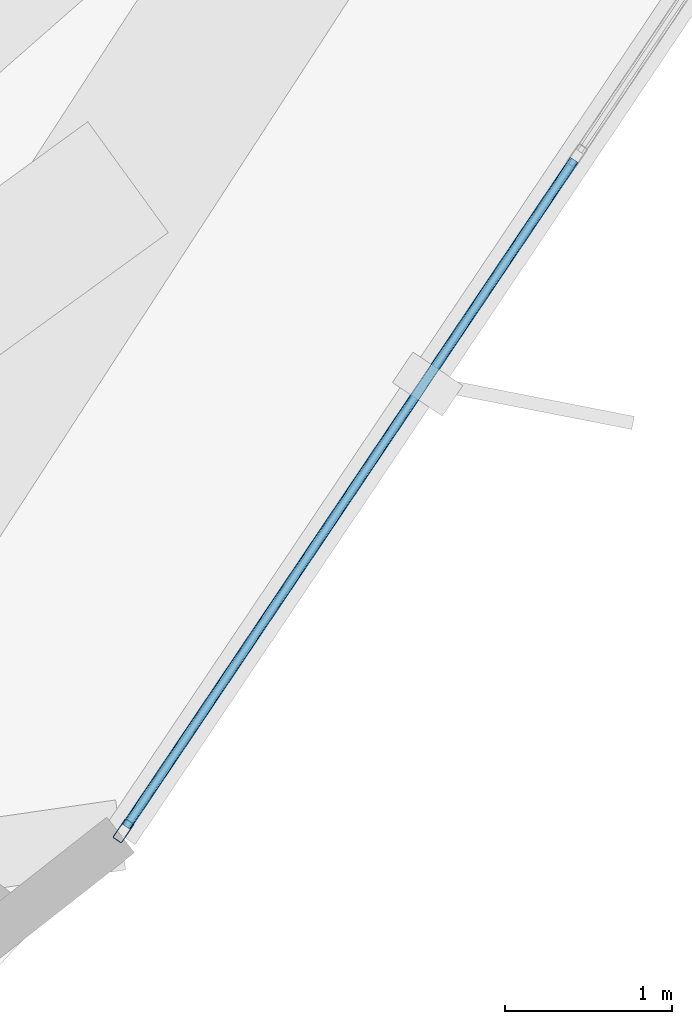
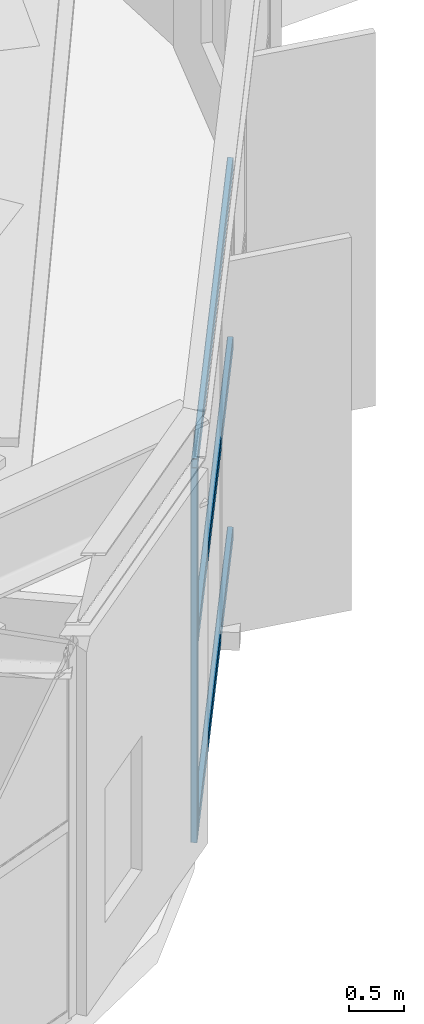
# One storey, part 13 of 30: 4 members, 1 element without a shape of its own.
"""IFC4 building model written with IfcOpenShell, lengths in metres."""

import ifcopenshell
import ifcopenshell.guid

model = None  # the IFC model being written
_history = None  # IfcOwnerHistory: only IFC2X3 demands one
_inside = {}  # id of a spatial element -> (the spatial element, [elements in it])
_under = {}  # id of a project, library or spatial element -> (it, [spatial elements below it])
_declared = {}  # id of a project -> (the project, [libraries it declares])
_typed = {}  # id of a type object -> (the type object, [elements of that type])
_made_of = {}  # id of a material, layer set ... -> (it, [elements and type objects made of it])


def new_model(schema):
    """Start an empty IFC model of exactly this schema.

    Asked for "IFC4X3", IfcOpenShell would pick the latest addendum, in which some entities
    have other attributes; the version numbers below select the first issue.
    IFC2X3 requires an IfcOwnerHistory on every rooted entity: one is made here for all.
    """
    global model, _history
    if schema == "IFC4X3":
        model = ifcopenshell.file(schema_version=(4, 3, 0, 0))
    else:
        model = ifcopenshell.file(schema=schema)
    _inside.clear()
    _under.clear()
    _declared.clear()
    _typed.clear()
    _made_of.clear()
    _history = None
    if model.schema == "IFC2X3":
        org = make("IfcOrganization", Name="unknown")
        user = make(
            "IfcPersonAndOrganization",
            ThePerson=make("IfcPerson", FamilyName="unknown"),
            TheOrganization=org,
        )
        app = make(
            "IfcApplication",
            ApplicationDeveloper=org,
            Version="unknown",
            ApplicationFullName="unknown",
            ApplicationIdentifier="unknown",
        )
        _history = make(
            "IfcOwnerHistory",
            OwningUser=user,
            OwningApplication=app,
            ChangeAction="ADDED",
            CreationDate=0,
        )
    return model


def make(cls, **values):
    """One entity of the class cls with the attributes given. An attribute that is None is left unset."""
    return model.create_entity(
        cls, **{name: value for name, value in values.items() if value is not None}
    )


def rooted(cls, **values):
    """An entity with a GlobalId (a new one), such as an element, a storey or a relation."""
    return make(cls, GlobalId=ifcopenshell.guid.new(), OwnerHistory=_history, **values)


def si_unit(unit_type, name, prefix=None):
    """IfcSIUnit, for example si_unit("LENGTHUNIT", "METRE", prefix="MILLI")."""
    return make("IfcSIUnit", UnitType=unit_type, Prefix=prefix, Name=name)


def assignment(units):
    """IfcUnitAssignment: the units of a project."""
    return None if units is None else make("IfcUnitAssignment", Units=units)


def point(xyz):
    """IfcCartesianPoint."""
    return None if xyz is None else make("IfcCartesianPoint", Coordinates=xyz)


def direction(xyz):
    """IfcDirection."""
    return None if xyz is None else make("IfcDirection", DirectionRatios=xyz)


def frame(location, z_axis=None, x_axis=None):
    """IfcAxis2Placement3D, a coordinate frame: its origin and axes. An axis left out is left unset."""
    return make(
        "IfcAxis2Placement3D",
        Location=point(location),
        Axis=direction(z_axis),
        RefDirection=direction(x_axis),
    )


def frame_2d(location, x_axis=None):
    """IfcAxis2Placement2D, a coordinate frame in the plane: its origin and x axis."""
    return make(
        "IfcAxis2Placement2D", Location=point(location), RefDirection=direction(x_axis)
    )


def origin():
    """The frame at (0, 0, 0) with its axes left unset."""
    return frame((0.0, 0.0, 0.0))


def origin_2d():
    """The frame at (0, 0) in the plane with its x axis left unset."""
    return frame_2d((0.0, 0.0))


def place(relative_to, where):
    """IfcLocalPlacement: puts the frame where relative to a parent placement (None: the world)."""
    return make(
        "IfcLocalPlacement", PlacementRelTo=relative_to, RelativePlacement=where
    )


def context(
    kind, dimensions, precision=None, world=None, true_north=None, identifier=None
):
    """IfcGeometricRepresentationContext, for example the 3D "Model" context."""
    return make(
        "IfcGeometricRepresentationContext",
        ContextIdentifier=identifier,
        ContextType=kind,
        CoordinateSpaceDimension=dimensions,
        Precision=precision,
        WorldCoordinateSystem=world,
        TrueNorth=true_north,
    )


def subcontext(parent, identifier, kind, view, scale=None):
    """IfcGeometricRepresentationSubContext, for example "Body" below "Model"."""
    return make(
        "IfcGeometricRepresentationSubContext",
        ContextIdentifier=identifier,
        ContextType=kind,
        ParentContext=parent,
        TargetScale=scale,
        TargetView=view,
    )


def project(units=None, contexts=None):
    """IfcProject with its units and contexts."""
    return rooted(
        "IfcProject",
        Name="project",
        RepresentationContexts=contexts,
        UnitsInContext=assignment(units),
    )


def spatial(cls, under=None, at=None, **own):
    """A site, building, storey or space (cls), placed at a placement, below another one or the project."""
    s = rooted(cls, ObjectPlacement=at, **own)
    if under is not None:
        _under.setdefault(under.id(), (under, []))[1].append(s)
    return s


def profile(cls, at=None, kind="AREA", **sizes):
    """A parametric profile (cls). Its sizes go by their IFC names, for example OverallWidth=200.0."""
    return make(cls, ProfileType=kind, Position=at, **sizes)


def hollow_rectangle(**sizes):
    """IfcRectangleHollowProfileDef."""
    return profile("IfcRectangleHollowProfileDef", **sizes)


def extrude(swept, where, along, depth):
    """IfcExtrudedAreaSolid: the profile swept, set in the frame where, extruded along a direction by depth."""
    return make(
        "IfcExtrudedAreaSolid",
        SweptArea=swept,
        Position=where,
        ExtrudedDirection=direction(along),
        Depth=depth,
    )


def shape(context_of_items, identifier, shape_type, items):
    """IfcShapeRepresentation: the items that make up one representation, for example the "Body"."""
    return make(
        "IfcShapeRepresentation",
        ContextOfItems=context_of_items,
        RepresentationIdentifier=identifier,
        RepresentationType=shape_type,
        Items=items,
    )


def material(Name=None, Category=None):
    """IfcMaterial."""
    return make("IfcMaterial", Name=Name, Category=Category)


def layer(
    of_material, thickness, ventilated=None, Name=None, Category=None, Priority=None
):
    """IfcMaterialLayer: one layer of a wall or slab, of a material (None: an air gap)."""
    return make(
        "IfcMaterialLayer",
        Material=of_material,
        LayerThickness=thickness,
        IsVentilated=ventilated,
        Name=Name,
        Category=Category,
        Priority=Priority,
    )


def layer_set(layers, Name=None):
    """IfcMaterialLayerSet."""
    return make("IfcMaterialLayerSet", MaterialLayers=layers, LayerSetName=Name)


def material_profile(
    of_material, cross_section, Name=None, Category=None, Priority=None
):
    """IfcMaterialProfile: a cross section and its material."""
    return make(
        "IfcMaterialProfile",
        Name=Name,
        Material=of_material,
        Profile=cross_section,
        Priority=Priority,
        Category=Category,
    )


def profile_set(profiles, Name=None, composite=None):
    """IfcMaterialProfileSet."""
    return make(
        "IfcMaterialProfileSet",
        Name=Name,
        MaterialProfiles=profiles,
        CompositeProfile=composite,
    )


def made_of(thing, what):
    """Note that an element or type object is made of a material, layer set ...; save() writes the relation."""
    if what is not None:
        _made_of.setdefault(what.id(), (what, []))[1].append(thing)
    return thing


def type_object(cls, material=None, **own):
    """A type object (cls), such as IfcWallType, which elements share."""
    return made_of(rooted(cls, **own), material)


def element(
    cls,
    number,
    at=None,
    inside=None,
    cuts=None,
    type_object=None,
    material=None,
    context=None,
    identifier="Body",
    shape_type=None,
    held_by="IfcProductDefinitionShape",
    body=None,
    shapes=None,
    **own,
):
    """One element of the class cls, such as IfcWall. Its Tag is "e" and its number.

    at: its placement. inside: the storey or other place that contains it. cuts: it is an
    opening in that element (IfcRelVoidsElement). A single representation is given by context,
    identifier, shape_type and body (its items); several are given by shapes. held_by: the class
    of the entity that holds the representations. save() writes the other relations.
    """
    e = rooted(cls, Tag="e%d" % number, ObjectPlacement=at, **own)
    if body is not None:
        shapes = [shape(context, identifier, shape_type, body)]
    if shapes is not None:
        e.Representation = make(held_by, Representations=shapes)
    if inside is not None:
        _inside.setdefault(inside.id(), (inside, []))[1].append(e)
    if cuts is not None:
        rooted(
            "IfcRelVoidsElement", RelatingBuildingElement=cuts, RelatedOpeningElement=e
        )
    if type_object is not None:
        _typed.setdefault(type_object.id(), (type_object, []))[1].append(e)
    return made_of(e, material)


def aggregate(whole, parts):
    """IfcRelAggregates: a whole, such as a stair, and the parts it consists of."""
    return rooted("IfcRelAggregates", RelatingObject=whole, RelatedObjects=parts)


def save(model, path):
    """Write the relations noted so far, then the file.

    IfcRelAggregates (storeys below a building ...), IfcRelContainedInSpatialStructure (elements
    in a storey), IfcRelDefinesByType, IfcRelAssociatesMaterial and IfcRelDeclares: one each for
    every whole, place, type object, material and project.
    """
    for whole, parts in _under.values():
        aggregate(whole, parts)
    for where, things in _inside.values():
        rooted(
            "IfcRelContainedInSpatialStructure",
            RelatedElements=things,
            RelatingStructure=where,
        )
    for kind, things in _typed.values():
        rooted("IfcRelDefinesByType", RelatedObjects=things, RelatingType=kind)
    for what, things in _made_of.values():
        rooted("IfcRelAssociatesMaterial", RelatedObjects=things, RelatingMaterial=what)
    for by, libraries in _declared.values():
        rooted("IfcRelDeclares", RelatingContext=by, RelatedDefinitions=libraries)
    model.write(path)


model = new_model("IFC4")

# Units and contexts
model_context = context("Model", 3, precision=1e-05, world=origin(), true_north=direction((0.0, 1.0)))
body_context = subcontext(model_context, "Body", "Model", "MODEL_VIEW")
ifc_project = project(units=[si_unit("LENGTHUNIT", "METRE"), si_unit("AREAUNIT", "SQUARE_METRE"), si_unit("VOLUMEUNIT", "CUBIC_METRE"), si_unit("PLANEANGLEUNIT", "RADIAN"), si_unit("MASSUNIT", "GRAM", prefix="KILO")], contexts=[model_context])

# Site, building, storey
site_placement = place(None, origin())
site = spatial("IfcSite", under=ifc_project, at=site_placement, CompositionType="ELEMENT")
building_placement = place(site_placement, origin())
building = spatial("IfcBuilding", under=site, at=building_placement, Name="Soratama Intermodal Tower", CompositionType="ELEMENT")
storey_placement = place(building_placement, frame((0.0, 0.0, 237.39990234375)))
storey = spatial("IfcBuildingStorey", under=building, at=storey_placement, Name="L60", CompositionType="ELEMENT", Elevation=237.39990234375)

# Curtain wall, members
ifc_material_1 = material(Name="Double-glazed aluminium curtain wall", Category="aluminium")
ifc_layer = layer(ifc_material_1, 0.159912109375)
ifc_layer_set = layer_set([ifc_layer], Name="Double-glazed aluminium curtain wall")
curtain_wall_type = type_object("IfcCurtainWallType", Name="CW-SYS-5", PredefinedType="NOTDEFINED", material=ifc_layer_set)
curtain_wall_placement = place(storey_placement, origin())
curtain_wall = element("IfcCurtainWall", 1, at=curtain_wall_placement, inside=storey, type_object=curtain_wall_type, Name="L60 Faceted Curtain Wall F08", PredefinedType="NOTDEFINED")
ifc_material_2 = material(Name="Anodised aluminium AA 6063-T6", Category="aluminium")
ifc_material_profile_1 = material_profile(ifc_material_2, hollow_rectangle(XDim=0.06494140625, YDim=0.139892578125, WallThickness=0.0048828125, InnerFilletRadius=0.0048828125, OuterFilletRadius=0.010009765625, at=origin_2d()), Name="CWM140X65X5")
ifc_profile_set_1 = profile_set([ifc_material_profile_1], Name="Anodised aluminium AA 6063-T6")
member_type_1 = type_object("IfcMemberType", Name="MT-CWM-5", PredefinedType="MULLION", material=ifc_profile_set_1)
member_1_placement = place(storey_placement, frame((58.78271484375, 9.87255859375, 0.0), z_axis=(0.0, 0.0, 1.0), x_axis=(-0.830012833984, 0.557744292147, 0.0)))
member_1 = element("IfcMember", 2, at=member_1_placement, type_object=member_type_1, Name="CW-5 mullion 1", PredefinedType="MULLION", context=body_context, shape_type="SweptSolid", body=[
    extrude(hollow_rectangle(XDim=0.06494140625, YDim=0.139892578125, WallThickness=0.0048828125, InnerFilletRadius=0.0048828125, OuterFilletRadius=0.010009765625, at=origin_2d()), origin(), (0.0, 0.0, 1.0), 4.17919921875),
])
ifc_material_3 = material(Name="Anodised aluminium AA 6063-T6", Category="aluminium")
ifc_material_profile_2 = material_profile(ifc_material_3, hollow_rectangle(XDim=0.06005859375, YDim=0.1298828125, WallThickness=0.0048828125, InnerFilletRadius=0.0048828125, OuterFilletRadius=0.010009765625, at=origin_2d()), Name="CWT130X60X5")
ifc_profile_set_2 = profile_set([ifc_material_profile_2], Name="Anodised aluminium AA 6063-T6")
member_type_2 = type_object("IfcMemberType", Name="TT-CWT-2", PredefinedType="USERDEFINED", material=ifc_profile_set_2)
member_2_placement = place(storey_placement, frame((58.79931640625, 9.8974609375, 0.030029296875), z_axis=(0.557742588142, 0.830013979022, 0.0), x_axis=(-0.830013979022, 0.557742588142, 0.0)))
member_2 = element("IfcMember", 3, at=member_2_placement, type_object=member_type_2, Name="CW-5 transom 1.1", ObjectType="TRANSOM", PredefinedType="USERDEFINED", context=body_context, shape_type="SweptSolid", body=[
    extrude(hollow_rectangle(XDim=0.06005859375, YDim=0.1298828125, WallThickness=0.0048828125, InnerFilletRadius=0.0048828125, OuterFilletRadius=0.010009765625, at=origin_2d()), origin(), (0.0, 0.0, 1.0), 4.808837890625),
])
member_3_placement = place(storey_placement, frame((58.79931640625, 9.8974609375, 2.150146484375), z_axis=(0.557742588142, 0.830013979022, 0.0), x_axis=(-0.830013979022, 0.557742588142, 0.0)))
member_3 = element("IfcMember", 4, at=member_3_placement, type_object=member_type_2, Name="CW-5 transom 1.2", ObjectType="TRANSOM", PredefinedType="USERDEFINED", context=body_context, shape_type="SweptSolid", body=[
    extrude(hollow_rectangle(XDim=0.06005859375, YDim=0.1298828125, WallThickness=0.0048828125, InnerFilletRadius=0.0048828125, OuterFilletRadius=0.010009765625, at=origin_2d()), origin(), (0.0, 0.0, 1.0), 4.808837890625),
])
member_4_placement = place(storey_placement, frame((58.79931640625, 9.8974609375, 4.149169921875), z_axis=(0.557742588142, 0.830013979022, 0.0), x_axis=(-0.830013979022, 0.557742588142, 0.0)))
member_4 = element("IfcMember", 5, at=member_4_placement, type_object=member_type_2, Name="CW-5 transom 1.3", ObjectType="TRANSOM", PredefinedType="USERDEFINED", context=body_context, shape_type="SweptSolid", body=[
    extrude(hollow_rectangle(XDim=0.06005859375, YDim=0.1298828125, WallThickness=0.0048828125, InnerFilletRadius=0.0048828125, OuterFilletRadius=0.010009765625, at=origin_2d()), origin(), (0.0, 0.0, 1.0), 4.808837890625),
])
aggregate(curtain_wall, [member_1, member_2, member_3, member_4])

save(model, "model.ifc")
